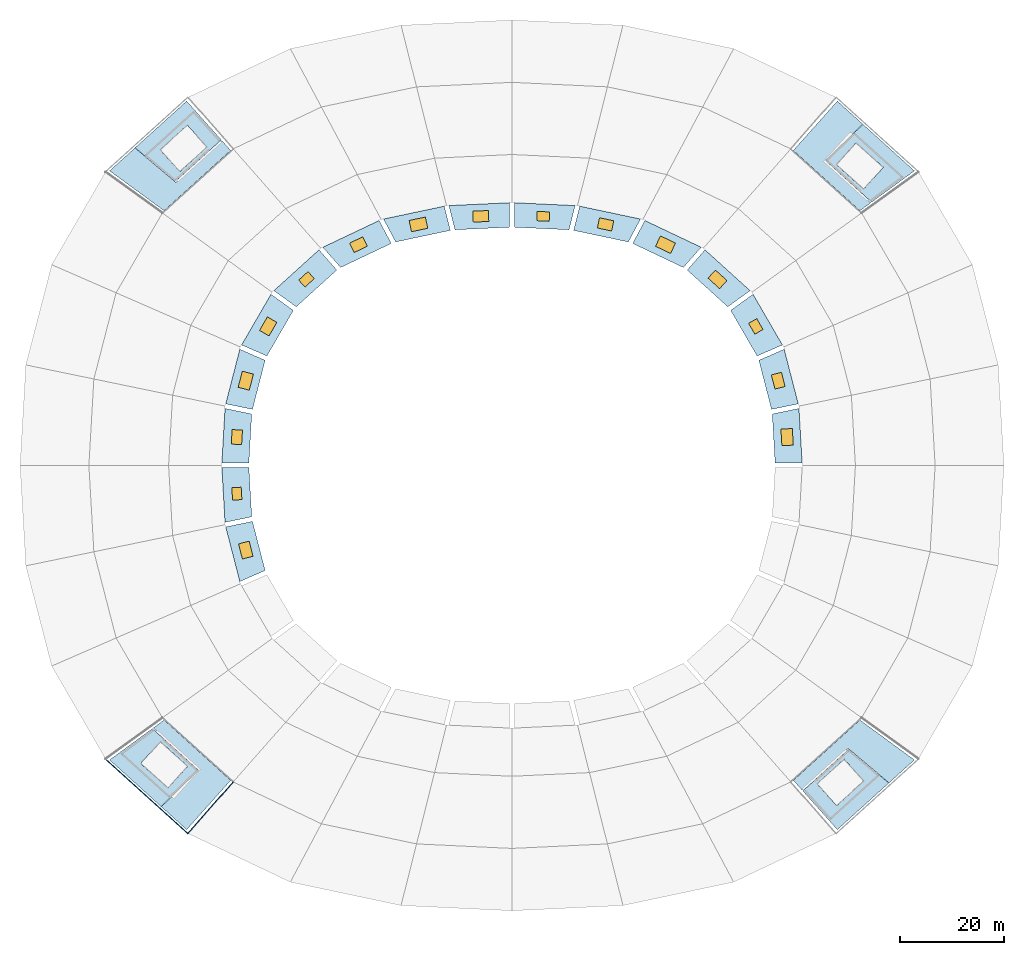
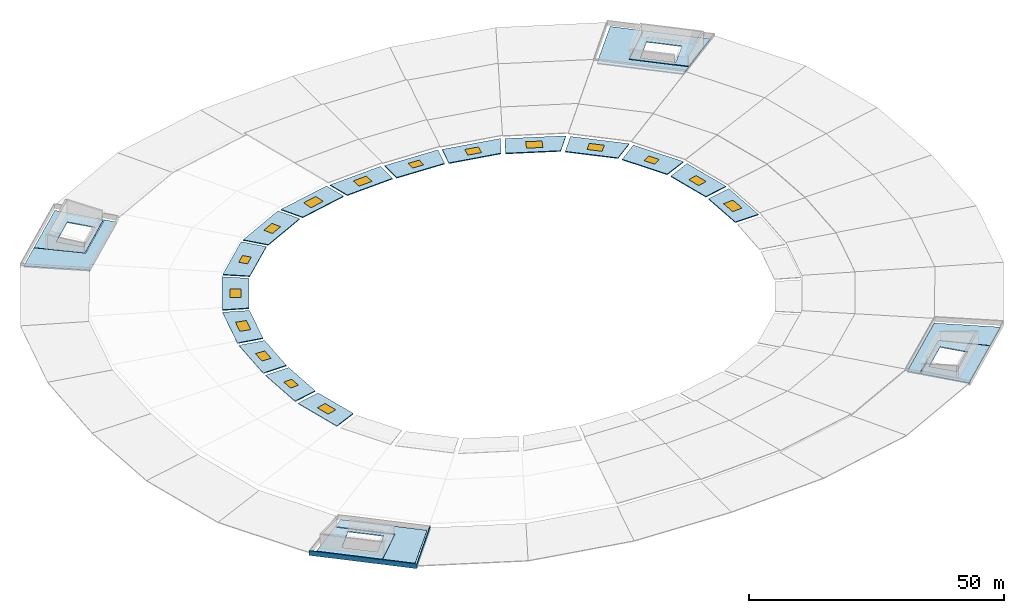
"""IFC4 building model written with IfcOpenShell, lengths in metres."""

import ifcopenshell
import ifcopenshell.guid

model = None  # the IFC model being written
_history = None  # IfcOwnerHistory: only IFC2X3 demands one
_inside = {}  # id of a spatial element -> (the spatial element, [elements in it])
_under = {}  # id of a project, library or spatial element -> (it, [spatial elements below it])
_declared = {}  # id of a project -> (the project, [libraries it declares])
_typed = {}  # id of a type object -> (the type object, [elements of that type])
_made_of = {}  # id of a material, layer set ... -> (it, [elements and type objects made of it])


def new_model(schema):
    """Start an empty IFC model of exactly this schema.

    Asked for "IFC4X3", IfcOpenShell would pick the latest addendum, in which some entities
    have other attributes; the version numbers below select the first issue.
    IFC2X3 requires an IfcOwnerHistory on every rooted entity: one is made here for all.
    """
    global model, _history
    if schema == "IFC4X3":
        model = ifcopenshell.file(schema_version=(4, 3, 0, 0))
    else:
        model = ifcopenshell.file(schema=schema)
    _inside.clear()
    _under.clear()
    _declared.clear()
    _typed.clear()
    _made_of.clear()
    _history = None
    if model.schema == "IFC2X3":
        org = make("IfcOrganization", Name="unknown")
        user = make(
            "IfcPersonAndOrganization",
            ThePerson=make("IfcPerson", FamilyName="unknown"),
            TheOrganization=org,
        )
        app = make(
            "IfcApplication",
            ApplicationDeveloper=org,
            Version="unknown",
            ApplicationFullName="unknown",
            ApplicationIdentifier="unknown",
        )
        _history = make(
            "IfcOwnerHistory",
            OwningUser=user,
            OwningApplication=app,
            ChangeAction="ADDED",
            CreationDate=0,
        )
    return model


def make(cls, **values):
    """One entity of the class cls with the attributes given. An attribute that is None is left unset."""
    return model.create_entity(
        cls, **{name: value for name, value in values.items() if value is not None}
    )


def rooted(cls, **values):
    """An entity with a GlobalId (a new one), such as an element, a storey or a relation."""
    return make(cls, GlobalId=ifcopenshell.guid.new(), OwnerHistory=_history, **values)


def si_unit(unit_type, name, prefix=None):
    """IfcSIUnit, for example si_unit("LENGTHUNIT", "METRE", prefix="MILLI")."""
    return make("IfcSIUnit", UnitType=unit_type, Prefix=prefix, Name=name)


def assignment(units):
    """IfcUnitAssignment: the units of a project."""
    return None if units is None else make("IfcUnitAssignment", Units=units)


def point(xyz):
    """IfcCartesianPoint."""
    return None if xyz is None else make("IfcCartesianPoint", Coordinates=xyz)


def direction(xyz):
    """IfcDirection."""
    return None if xyz is None else make("IfcDirection", DirectionRatios=xyz)


def frame(location, z_axis=None, x_axis=None):
    """IfcAxis2Placement3D, a coordinate frame: its origin and axes. An axis left out is left unset."""
    return make(
        "IfcAxis2Placement3D",
        Location=point(location),
        Axis=direction(z_axis),
        RefDirection=direction(x_axis),
    )


def frame_2d(location, x_axis=None):
    """IfcAxis2Placement2D, a coordinate frame in the plane: its origin and x axis."""
    return make(
        "IfcAxis2Placement2D", Location=point(location), RefDirection=direction(x_axis)
    )


def origin():
    """The frame at (0, 0, 0) with its axes left unset."""
    return frame((0.0, 0.0, 0.0))


def origin_2d():
    """The frame at (0, 0) in the plane with its x axis left unset."""
    return frame_2d((0.0, 0.0))


def place(relative_to, where):
    """IfcLocalPlacement: puts the frame where relative to a parent placement (None: the world)."""
    return make(
        "IfcLocalPlacement", PlacementRelTo=relative_to, RelativePlacement=where
    )


def context(
    kind, dimensions, precision=None, world=None, true_north=None, identifier=None
):
    """IfcGeometricRepresentationContext, for example the 3D "Model" context."""
    return make(
        "IfcGeometricRepresentationContext",
        ContextIdentifier=identifier,
        ContextType=kind,
        CoordinateSpaceDimension=dimensions,
        Precision=precision,
        WorldCoordinateSystem=world,
        TrueNorth=true_north,
    )


def subcontext(parent, identifier, kind, view, scale=None):
    """IfcGeometricRepresentationSubContext, for example "Body" below "Model"."""
    return make(
        "IfcGeometricRepresentationSubContext",
        ContextIdentifier=identifier,
        ContextType=kind,
        ParentContext=parent,
        TargetScale=scale,
        TargetView=view,
    )


def project(units=None, contexts=None):
    """IfcProject with its units and contexts."""
    return rooted(
        "IfcProject",
        Name="project",
        RepresentationContexts=contexts,
        UnitsInContext=assignment(units),
    )


def spatial(cls, under=None, at=None, **own):
    """A site, building, storey or space (cls), placed at a placement, below another one or the project."""
    s = rooted(cls, ObjectPlacement=at, **own)
    if under is not None:
        _under.setdefault(under.id(), (under, []))[1].append(s)
    return s


def polyline(points):
    """IfcPolyline through the points."""
    return make("IfcPolyline", Points=[point(p) for p in points])


def profile(cls, at=None, kind="AREA", **sizes):
    """A parametric profile (cls). Its sizes go by their IFC names, for example OverallWidth=200.0."""
    return make(cls, ProfileType=kind, Position=at, **sizes)


def rectangle(**sizes):
    """IfcRectangleProfileDef."""
    return profile("IfcRectangleProfileDef", **sizes)


def outline(outer, holes=None, kind="AREA"):
    """IfcArbitraryClosedProfileDef: a profile drawn as a closed curve; with holes, ...WithVoids."""
    if holes is None:
        return make("IfcArbitraryClosedProfileDef", ProfileType=kind, OuterCurve=outer)
    return make(
        "IfcArbitraryProfileDefWithVoids",
        ProfileType=kind,
        OuterCurve=outer,
        InnerCurves=holes,
    )


def extrude(swept, where, along, depth):
    """IfcExtrudedAreaSolid: the profile swept, set in the frame where, extruded along a direction by depth."""
    return make(
        "IfcExtrudedAreaSolid",
        SweptArea=swept,
        Position=where,
        ExtrudedDirection=direction(along),
        Depth=depth,
    )


def shape(context_of_items, identifier, shape_type, items):
    """IfcShapeRepresentation: the items that make up one representation, for example the "Body"."""
    return make(
        "IfcShapeRepresentation",
        ContextOfItems=context_of_items,
        RepresentationIdentifier=identifier,
        RepresentationType=shape_type,
        Items=items,
    )


def material(Name=None, Category=None):
    """IfcMaterial."""
    return make("IfcMaterial", Name=Name, Category=Category)


def layer(
    of_material, thickness, ventilated=None, Name=None, Category=None, Priority=None
):
    """IfcMaterialLayer: one layer of a wall or slab, of a material (None: an air gap)."""
    return make(
        "IfcMaterialLayer",
        Material=of_material,
        LayerThickness=thickness,
        IsVentilated=ventilated,
        Name=Name,
        Category=Category,
        Priority=Priority,
    )


def layer_set(layers, Name=None):
    """IfcMaterialLayerSet."""
    return make("IfcMaterialLayerSet", MaterialLayers=layers, LayerSetName=Name)


def made_of(thing, what):
    """Note that an element or type object is made of a material, layer set ...; save() writes the relation."""
    if what is not None:
        _made_of.setdefault(what.id(), (what, []))[1].append(thing)
    return thing


def type_object(cls, material=None, **own):
    """A type object (cls), such as IfcWallType, which elements share."""
    return made_of(rooted(cls, **own), material)


def element(
    cls,
    number,
    at=None,
    inside=None,
    cuts=None,
    type_object=None,
    material=None,
    context=None,
    identifier="Body",
    shape_type=None,
    held_by="IfcProductDefinitionShape",
    body=None,
    shapes=None,
    **own,
):
    """One element of the class cls, such as IfcWall. Its Tag is "e" and its number.

    at: its placement. inside: the storey or other place that contains it. cuts: it is an
    opening in that element (IfcRelVoidsElement). A single representation is given by context,
    identifier, shape_type and body (its items); several are given by shapes. held_by: the class
    of the entity that holds the representations. save() writes the other relations.
    """
    e = rooted(cls, Tag="e%d" % number, ObjectPlacement=at, **own)
    if body is not None:
        shapes = [shape(context, identifier, shape_type, body)]
    if shapes is not None:
        e.Representation = make(held_by, Representations=shapes)
    if inside is not None:
        _inside.setdefault(inside.id(), (inside, []))[1].append(e)
    if cuts is not None:
        rooted(
            "IfcRelVoidsElement", RelatingBuildingElement=cuts, RelatedOpeningElement=e
        )
    if type_object is not None:
        _typed.setdefault(type_object.id(), (type_object, []))[1].append(e)
    return made_of(e, material)


def fill(opening, filler):
    """IfcRelFillsElement: the door or window that sits in an opening."""
    return rooted(
        "IfcRelFillsElement",
        RelatingOpeningElement=opening,
        RelatedBuildingElement=filler,
    )


def aggregate(whole, parts):
    """IfcRelAggregates: a whole, such as a stair, and the parts it consists of."""
    return rooted("IfcRelAggregates", RelatingObject=whole, RelatedObjects=parts)


def save(model, path):
    """Write the relations noted so far, then the file.

    IfcRelAggregates (storeys below a building ...), IfcRelContainedInSpatialStructure (elements
    in a storey), IfcRelDefinesByType, IfcRelAssociatesMaterial and IfcRelDeclares: one each for
    every whole, place, type object, material and project.
    """
    for whole, parts in _under.values():
        aggregate(whole, parts)
    for where, things in _inside.values():
        rooted(
            "IfcRelContainedInSpatialStructure",
            RelatedElements=things,
            RelatingStructure=where,
        )
    for kind, things in _typed.values():
        rooted("IfcRelDefinesByType", RelatedObjects=things, RelatingType=kind)
    for what, things in _made_of.values():
        rooted("IfcRelAssociatesMaterial", RelatedObjects=things, RelatingMaterial=what)
    for by, libraries in _declared.values():
        rooted("IfcRelDeclares", RelatingContext=by, RelatedDefinitions=libraries)
    model.write(path)


model = new_model("IFC4")

# Units and contexts
model_context = context("Model", 3, precision=1e-05, world=origin(), true_north=direction((0.0, 1.0)))
body_context = subcontext(model_context, "Body", "Model", "MODEL_VIEW")
ifc_project = project(units=[si_unit("LENGTHUNIT", "METRE"), si_unit("AREAUNIT", "SQUARE_METRE"), si_unit("VOLUMEUNIT", "CUBIC_METRE"), si_unit("PLANEANGLEUNIT", "RADIAN"), si_unit("MASSUNIT", "GRAM", prefix="KILO")], contexts=[model_context])

# Site, building, storey
site_placement = place(None, origin())
site = spatial("IfcSite", under=ifc_project, at=site_placement, CompositionType="ELEMENT")
building_placement = place(site_placement, origin())
building = spatial("IfcBuilding", under=site, at=building_placement, Name="Kazemori Nagisa Stadium", CompositionType="ELEMENT")
storey_1_placement = place(building_placement, frame((0.0, 0.0, 42.159912109375)))
storey_1 = spatial("IfcBuildingStorey", under=building, at=storey_1_placement, Name="ROOF", CompositionType="ELEMENT", Elevation=42.159912109375)

# Slabs
ifc_material_1 = material(Name="Concrete C36/45 (Fc36)", Category="concrete")
ifc_layer_1 = layer(ifc_material_1, 0.219970703125, Name="Concrete C36/45 (Fc36)", Category="concrete")
ifc_layer_set_1 = layer_set([ifc_layer_1], Name="Concrete C36/45 (Fc36)")
slab_type_1 = type_object("IfcSlabType", Name="Slab_SL-LND-220", PredefinedType="LANDING", material=ifc_layer_set_1)
slab_1_placement = place(storey_1_placement, frame((0.0, 0.0, -0.219970703125)))
element("IfcSlab", 1, at=slab_1_placement, inside=storey_1, type_object=slab_type_1, Name="Corner stair headhouse arrival landing ROOF B04", PredefinedType="LANDING", context=body_context, shape_type="SweptSolid", body=[
    extrude(outline(polyline([(192.436279296875, 152.818359375), (183.551025390625, 160.862060546875), (190.7626953125, 167.87255859375), (200.706298828125, 158.87109375), (192.436279296875, 152.818359375)]), holes=[polyline([(190.87646484375, 155.334228515625), (185.616455078125, 160.095947265625), (189.44189453125, 164.321533203125), (194.70166015625, 159.56005859375), (190.87646484375, 155.334228515625)])]), origin(), (0.0, 0.0, 1.0), 0.219970703125),
])
slab_2_placement = place(storey_1_placement, frame((0.0, 0.0, -0.219970703125)))
element("IfcSlab", 2, at=slab_2_placement, inside=storey_1, type_object=slab_type_1, Name="Corner stair headhouse arrival landing ROOF B11", PredefinedType="LANDING", context=body_context, shape_type="SweptSolid", body=[
    extrude(outline(polyline([(66.86328125, 164.858154296875), (57.97802734375, 156.814697265625), (50.23388671875, 163.343017578125), (60.177490234375, 172.3447265625), (66.86328125, 164.858154296875)]), holes=[polyline([(64.12109375, 163.4794921875), (58.861328125, 158.7177734375), (55.035888671875, 162.943603515625), (60.2958984375, 167.705078125), (64.12109375, 163.4794921875)])]), origin(), (0.0, 0.0, 1.0), 0.219970703125),
])
slab_3_placement = place(storey_1_placement, frame((0.0, 0.0, -0.219970703125)))
element("IfcSlab", 3, at=slab_3_placement, inside=storey_1, type_object=slab_type_1, Name="Corner stair headhouse arrival landing ROOF B18", PredefinedType="LANDING", context=body_context, shape_type="SweptSolid", body=[
    extrude(outline(polyline([(53.563720703125, 51.181640625), (62.448974609375, 43.137939453125), (55.2373046875, 36.12744140625), (45.293701171875, 45.12890625), (53.563720703125, 51.181640625)]), holes=[polyline([(55.12353515625, 48.665771484375), (60.383544921875, 43.904052734375), (56.55810546875, 39.678466796875), (51.29833984375, 44.43994140625), (55.12353515625, 48.665771484375)])]), origin(), (0.0, 0.0, 1.0), 0.219970703125),
])
slab_4_placement = place(storey_1_placement, frame((0.0, 0.0, -0.219970703125)))
element("IfcSlab", 4, at=slab_4_placement, inside=storey_1, type_object=slab_type_1, Name="Corner stair headhouse arrival landing ROOF B25", PredefinedType="LANDING", context=body_context, shape_type="SweptSolid", body=[
    extrude(outline(polyline([(179.13671875, 39.141845703125), (188.02197265625, 47.185302734375), (195.76611328125, 40.656982421875), (185.822509765625, 31.6552734375), (179.13671875, 39.141845703125)]), holes=[polyline([(181.87890625, 40.5205078125), (187.138671875, 45.2822265625), (190.964111328125, 41.056396484375), (185.7041015625, 36.294921875), (181.87890625, 40.5205078125)])]), origin(), (0.0, 0.0, 1.0), 0.219970703125),
])
ifc_layer_2 = layer(ifc_material_1, 0.25, Name="Concrete C36/45 (Fc36)", Category="concrete")
ifc_layer_set_2 = layer_set([ifc_layer_2], Name="Concrete C36/45 (Fc36)")
slab_type_2 = type_object("IfcSlabType", Name="Slab_SL-RF-HEAD-250", PredefinedType="ROOF", material=ifc_layer_set_2)
slab_5_placement = place(storey_1_placement, frame((0.0, 0.0, -0.25)))
element("IfcSlab", 5, at=slab_5_placement, inside=storey_1, type_object=slab_type_2, Name="Corner technical headhouse roof slab RF B04", PredefinedType="ROOF", context=body_context, shape_type="SweptSolid", body=[
    extrude(outline(polyline([(190.173828125, 151.16259765625), (177.3076171875, 162.81005859375), (185.822509765625, 172.3447265625), (190.731201171875, 167.9013671875), (183.38671875, 160.75537109375), (192.280517578125, 152.704345703125), (190.173828125, 151.16259765625)])), origin(), (0.0, 0.0, 1.0), 0.25),
])
slab_6_placement = place(storey_1_placement, frame((0.0, 0.0, -0.25)))
element("IfcSlab", 6, at=slab_6_placement, inside=storey_1, type_object=slab_type_2, Name="Corner technical headhouse roof slab RF B11", PredefinedType="ROOF", context=body_context, shape_type="SweptSolid", body=[
    extrude(outline(polyline([(68.6923828125, 162.81005859375), (55.826171875, 151.16259765625), (45.293701171875, 158.87109375), (50.2021484375, 163.314453125), (58.095703125, 156.666015625), (66.989501953125, 164.717041015625), (68.6923828125, 162.81005859375)])), origin(), (0.0, 0.0, 1.0), 0.25),
])
slab_7_placement = place(storey_1_placement, frame((0.0, 0.0, -0.25)))
element("IfcSlab", 7, at=slab_7_placement, inside=storey_1, type_object=slab_type_2, Name="Corner technical headhouse roof slab RF B18", PredefinedType="ROOF", context=body_context, shape_type="SweptSolid", body=[
    extrude(outline(polyline([(55.826171875, 52.83740234375), (68.6923828125, 41.18994140625), (60.177490234375, 31.6552734375), (55.268798828125, 36.0986328125), (62.61328125, 43.24462890625), (53.719482421875, 51.295654296875), (55.826171875, 52.83740234375)])), origin(), (0.0, 0.0, 1.0), 0.25),
])
slab_8_placement = place(storey_1_placement, frame((0.0, 0.0, -0.25)))
element("IfcSlab", 8, at=slab_8_placement, inside=storey_1, type_object=slab_type_2, Name="Corner technical headhouse roof slab RF B25", PredefinedType="ROOF", context=body_context, shape_type="SweptSolid", body=[
    extrude(outline(polyline([(177.3076171875, 41.18994140625), (190.173828125, 52.83740234375), (200.706298828125, 45.12890625), (195.7978515625, 40.685546875), (187.904296875, 47.333984375), (179.010498046875, 39.282958984375), (177.3076171875, 41.18994140625)])), origin(), (0.0, 0.0, 1.0), 0.25),
])

# Slab, opening
ifc_layer_3 = layer(ifc_material_1, 0.199951171875, Name="Concrete C36/45 (Fc36)", Category="concrete")
ifc_layer_set_3 = layer_set([ifc_layer_3], Name="Concrete C36/45 (Fc36)")
slab_type_3 = type_object("IfcSlabType", Name="Slab_SL-RF-OCULUS-200", PredefinedType="ROOF", material=ifc_layer_set_3)
slab_9_placement = place(storey_1_placement, frame((0.0, 0.0, -0.37890625)))
slab_9 = element("IfcSlab", 9, at=slab_9_placement, inside=storey_1, type_object=slab_type_3, Name="Canopy inner skylight curb slab B01", PredefinedType="ROOF", context=body_context, shape_type="SweptSolid", body=[
    extrude(outline(polyline([(173.799072265625, 102.44921875), (173.252197265625, 111.928466796875), (178.41552734375, 112.995361328125), (179.024169921875, 102.44921875), (173.799072265625, 102.44921875)])), origin(), (0.0, 0.0, 1.0), 0.199951171875),
])
opening_1_placement = place(slab_9_placement, frame((176.122802734375, 107.45556640625, 0.0), z_axis=(0.0, 0.0, 1.0), x_axis=(-0.057601670941, 0.998339645364, 0.0)))
opening_1 = element("IfcOpeningElement", 10, at=opening_1_placement, cuts=slab_9, Name="Opening SKY-RF-01", PredefinedType="OPENING", context=body_context, shape_type="SweptSolid", body=[
    extrude(rectangle(XDim=3.199951171875, YDim=2.199951171875, at=origin_2d()), frame((0.0, 0.0, -0.010009765625)), (0.0, 0.0, 1.0), 0.219970703125),
])

# Storey
storey_2_placement = place(building_placement, frame((0.0, 0.0, 36.719970703125)))
storey_2 = spatial("IfcBuildingStorey", under=building, at=storey_2_placement, Name="RF", CompositionType="ELEMENT", Elevation=36.719970703125)

# Window
ifc_material_2 = material(Name="Low-e laminated double glazing", Category="glass")
window_type_1 = type_object("IfcWindowType", Name="Window_SKY-RF-01", PartitioningType="SINGLE_PANEL", PredefinedType="SKYLIGHT", material=ifc_material_2)
window_1_placement = place(opening_1_placement, frame((0.0, 0.0, 0.14990234375)))
window_1 = element("IfcWindow", 11, at=window_1_placement, inside=storey_2, type_object=window_type_1, Name="Canopy inner oculus skylight SKY-RF-01-B01", OverallHeight=2.199951171875, OverallWidth=3.199951171875, PartitioningType="SINGLE_PANEL", PredefinedType="SKYLIGHT", context=body_context, shape_type="SweptSolid", body=[
    extrude(rectangle(XDim=3.199951171875, YDim=2.199951171875, at=origin_2d()), origin(), (0.0, 0.0, 1.0), 0.050048828125),
])

fill(opening_1, window_1)

# Slab, opening, window
slab_10_placement = place(storey_1_placement, frame((0.0, 0.0, -0.330810546875)))
slab_10 = element("IfcSlab", 12, at=slab_10_placement, inside=storey_1, type_object=slab_type_3, Name="Canopy inner skylight curb slab B02", PredefinedType="ROOF", context=body_context, shape_type="SweptSolid", body=[
    extrude(outline(polyline([(173.11376953125, 112.8134765625), (170.666015625, 122.29541015625), (175.5546875, 124.426513671875), (178.277099609375, 113.88037109375), (173.11376953125, 112.8134765625)])), origin(), (0.0, 0.0, 1.0), 0.199951171875),
])
opening_2_placement = place(slab_10_placement, frame((174.40283203125, 118.35400390625, 0.0), z_axis=(0.0, 0.0, 1.0), x_axis=(-0.249964642418, 0.968254965152, 0.0)))
opening_2 = element("IfcOpeningElement", 13, at=opening_2_placement, cuts=slab_10, Name="Opening SKY-RF-02", PredefinedType="OPENING", context=body_context, shape_type="SweptSolid", body=[
    extrude(rectangle(XDim=2.800048828125, YDim=2.0, at=origin_2d()), frame((0.0, 0.0, -0.010009765625)), (0.0, 0.0, 1.0), 0.219970703125),
])
window_type_2 = type_object("IfcWindowType", Name="Window_SKY-RF-02", PartitioningType="SINGLE_PANEL", PredefinedType="SKYLIGHT", material=ifc_material_2)
window_2_placement = place(opening_2_placement, frame((0.0, 0.0, 0.14990234375)))
window_2 = element("IfcWindow", 14, at=window_2_placement, inside=storey_2, type_object=window_type_2, Name="Canopy inner oculus skylight SKY-RF-02-B02", OverallHeight=2.0, OverallWidth=2.800048828125, PartitioningType="SINGLE_PANEL", PredefinedType="SKYLIGHT", context=body_context, shape_type="SweptSolid", body=[
    extrude(rectangle(XDim=2.800048828125, YDim=2.0, at=origin_2d()), origin(), (0.0, 0.0, 1.0), 0.050048828125),
])
fill(opening_2, window_2)

slab_11_placement = place(storey_1_placement, frame((0.0, 0.0, -0.2529296875)))
slab_11 = element("IfcSlab", 15, at=slab_11_placement, inside=storey_1, type_object=slab_type_3, Name="Canopy inner skylight curb slab B03", PredefinedType="ROOF", context=body_context, shape_type="SweptSolid", body=[
    extrude(outline(polyline([(170.32763671875, 123.120361328125), (165.220703125, 131.927978515625), (169.5380859375, 135.044677734375), (175.21630859375, 125.25146484375), (170.32763671875, 123.120361328125)])), origin(), (0.0, 0.0, 1.0), 0.199951171875),
])
opening_3_placement = place(slab_11_placement, frame((170.07568359375, 128.836181640625, 0.0), z_axis=(0.0, 0.0, 1.0), x_axis=(-0.501611590054, 0.865092950337, 0.0)))
opening_3 = element("IfcOpeningElement", 16, at=opening_3_placement, cuts=slab_11, Name="Opening SKY-RF-03", PredefinedType="OPENING", context=body_context, shape_type="SweptSolid", body=[
    extrude(rectangle(XDim=2.39990234375, YDim=1.800048828125, at=origin_2d()), frame((0.0, 0.0, -0.010009765625)), (0.0, 0.0, 1.0), 0.219970703125),
])
window_type_3 = type_object("IfcWindowType", Name="Window_SKY-RF-03", PartitioningType="SINGLE_PANEL", PredefinedType="SKYLIGHT", material=ifc_material_2)
window_3_placement = place(opening_3_placement, frame((0.0, 0.0, 0.14990234375)))
window_3 = element("IfcWindow", 17, at=window_3_placement, inside=storey_2, type_object=window_type_3, Name="Canopy inner oculus skylight SKY-RF-03-B03", OverallHeight=1.800048828125, OverallWidth=2.39990234375, PartitioningType="SINGLE_PANEL", PredefinedType="SKYLIGHT", context=body_context, shape_type="SweptSolid", body=[
    extrude(rectangle(XDim=2.39990234375, YDim=1.800048828125, at=origin_2d()), origin(), (0.0, 0.0, 1.0), 0.050048828125),
])
fill(opening_3, window_3)

slab_12_placement = place(storey_1_placement, frame((0.0, 0.0, -0.14990234375)))
slab_12 = element("IfcSlab", 18, at=slab_12_placement, inside=storey_1, type_object=slab_type_3, Name="Canopy inner skylight curb slab B04", PredefinedType="ROOF", context=body_context, shape_type="SweptSolid", body=[
    extrude(outline(polyline([(164.661376953125, 132.619140625), (156.823486328125, 139.714599609375), (160.266357421875, 143.622802734375), (168.978759765625, 135.73583984375), (164.661376953125, 132.619140625)])), origin(), (0.0, 0.0, 1.0), 0.199951171875),
])
opening_4_placement = place(slab_12_placement, frame((162.6826171875, 137.923095703125, 0.0), z_axis=(0.0, 0.0, 1.0), x_axis=(-0.741350875443, 0.671117634607, 0.0)))
opening_4 = element("IfcOpeningElement", 19, at=opening_4_placement, cuts=slab_12, Name="Opening SKY-RF-04", PredefinedType="OPENING", context=body_context, shape_type="SweptSolid", body=[
    extrude(rectangle(XDim=3.0, YDim=2.10009765625, at=origin_2d()), frame((0.0, 0.0, -0.010009765625)), (0.0, 0.0, 1.0), 0.219970703125),
])
window_type_4 = type_object("IfcWindowType", Name="Window_SKY-RF-04", PartitioningType="SINGLE_PANEL", PredefinedType="SKYLIGHT", material=ifc_material_2)
window_4_placement = place(opening_4_placement, frame((0.0, 0.0, 0.14990234375)))
window_4 = element("IfcWindow", 20, at=window_4_placement, inside=storey_2, type_object=window_type_4, Name="Canopy inner oculus skylight SKY-RF-04-B04", OverallHeight=2.10009765625, OverallWidth=3.0, PartitioningType="SINGLE_PANEL", PredefinedType="SKYLIGHT", context=body_context, shape_type="SweptSolid", body=[
    extrude(rectangle(XDim=3.0, YDim=2.10009765625, at=origin_2d()), origin(), (0.0, 0.0, 1.0), 0.050048828125),
])
fill(opening_4, window_4)

slab_13_placement = place(storey_1_placement, frame((0.0, 0.0, -0.02685546875)))
slab_13 = element("IfcSlab", 21, at=slab_13_placement, inside=storey_1, type_object=slab_type_3, Name="Canopy inner skylight curb slab B05", PredefinedType="ROOF", context=body_context, shape_type="SweptSolid", body=[
    extrude(outline(polyline([(156.08349609375, 140.209716796875), (146.306884765625, 144.855224609375), (148.6611328125, 149.28076171875), (159.5263671875, 144.117919921875), (156.08349609375, 140.209716796875)])), origin(), (0.0, 0.0, 1.0), 0.199951171875),
])
opening_5_placement = place(slab_13_placement, frame((152.64453125, 144.615966796875, 0.0), z_axis=(0.0, 0.0, 1.0), x_axis=(-0.903215892654, 0.429186499388, 0.0)))
opening_5 = element("IfcOpeningElement", 22, at=opening_5_placement, cuts=slab_13, Name="Opening SKY-RF-01", PredefinedType="OPENING", context=body_context, shape_type="SweptSolid", body=[
    extrude(rectangle(XDim=3.199951171875, YDim=2.199951171875, at=origin_2d()), frame((0.0, 0.0, -0.010009765625)), (0.0, 0.0, 1.0), 0.219970703125),
])
window_5_placement = place(opening_5_placement, frame((0.0, 0.0, 0.14990234375)))
window_5 = element("IfcWindow", 23, at=window_5_placement, inside=storey_2, type_object=window_type_1, Name="Canopy inner oculus skylight SKY-RF-01-B05", OverallHeight=2.199951171875, OverallWidth=3.199951171875, PartitioningType="SINGLE_PANEL", PredefinedType="SKYLIGHT", context=body_context, shape_type="SweptSolid", body=[
    extrude(rectangle(XDim=3.199951171875, YDim=2.199951171875, at=origin_2d()), origin(), (0.0, 0.0, 1.0), 0.050048828125),
])
fill(opening_5, window_5)

slab_14_placement = place(storey_1_placement, frame((0.0, 0.0, 0.110107421875)))
slab_14 = element("IfcSlab", 24, at=slab_14_placement, inside=storey_1, type_object=slab_type_3, Name="Canopy inner skylight curb slab B06", PredefinedType="ROOF", context=body_context, shape_type="SweptSolid", body=[
    extrude(outline(polyline([(145.460205078125, 145.1416015625), (134.904052734375, 147.374755859375), (136.08251953125, 152.049072265625), (147.814453125, 149.567138671875), (145.460205078125, 145.1416015625)])), origin(), (0.0, 0.0, 1.0), 0.199951171875),
])
opening_6_placement = place(slab_14_placement, frame((141.0654296875, 148.533203125, 0.0), z_axis=(0.0, 0.0, 1.0), x_axis=(-0.978344955407, 0.206981033502, 0.0)))
opening_6 = element("IfcOpeningElement", 25, at=opening_6_placement, cuts=slab_14, Name="Opening SKY-RF-02", PredefinedType="OPENING", context=body_context, shape_type="SweptSolid", body=[
    extrude(rectangle(XDim=2.800048828125, YDim=2.0, at=origin_2d()), frame((0.0, 0.0, -0.010009765625)), (0.0, 0.0, 1.0), 0.219970703125),
])
window_6_placement = place(opening_6_placement, frame((0.0, 0.0, 0.14990234375)))
window_6 = element("IfcWindow", 26, at=window_6_placement, inside=storey_2, type_object=window_type_2, Name="Canopy inner oculus skylight SKY-RF-02-B06", OverallHeight=2.0, OverallWidth=2.800048828125, PartitioningType="SINGLE_PANEL", PredefinedType="SKYLIGHT", context=body_context, shape_type="SweptSolid", body=[
    extrude(rectangle(XDim=2.800048828125, YDim=2.0, at=origin_2d()), origin(), (0.0, 0.0, 1.0), 0.050048828125),
])
fill(opening_6, window_6)

slab_15_placement = place(storey_1_placement, frame((0.0, 0.0, 0.255126953125)))
slab_15 = element("IfcSlab", 27, at=slab_15_placement, inside=storey_1, type_object=slab_type_3, Name="Canopy inner skylight curb slab B07", PredefinedType="ROOF", context=body_context, shape_type="SweptSolid", body=[
    extrude(outline(polyline([(134.014404296875, 147.4892578125), (123.449462890625, 147.98876953125), (123.449462890625, 152.71875), (135.19287109375, 152.16357421875), (134.014404296875, 147.4892578125)])), origin(), (0.0, 0.0, 1.0), 0.199951171875),
])
opening_7_placement = place(slab_15_placement, frame((129.026611328125, 150.090087890625, 0.0), z_axis=(0.0, 0.0, 1.0), x_axis=(-0.998884022476, 0.047230388971, 0.0)))
opening_7 = element("IfcOpeningElement", 28, at=opening_7_placement, cuts=slab_15, Name="Opening SKY-RF-03", PredefinedType="OPENING", context=body_context, shape_type="SweptSolid", body=[
    extrude(rectangle(XDim=2.39990234375, YDim=1.800048828125, at=origin_2d()), frame((0.0, 0.0, -0.010009765625)), (0.0, 0.0, 1.0), 0.219970703125),
])
window_7_placement = place(opening_7_placement, frame((0.0, 0.0, 0.14990234375)))
window_7 = element("IfcWindow", 29, at=window_7_placement, inside=storey_2, type_object=window_type_3, Name="Canopy inner oculus skylight SKY-RF-03-B07", OverallHeight=1.800048828125, OverallWidth=2.39990234375, PartitioningType="SINGLE_PANEL", PredefinedType="SKYLIGHT", context=body_context, shape_type="SweptSolid", body=[
    extrude(rectangle(XDim=2.39990234375, YDim=1.800048828125, at=origin_2d()), origin(), (0.0, 0.0, 1.0), 0.050048828125),
])
fill(opening_7, window_7)

slab_16_placement = place(storey_1_placement, frame((0.0, 0.0, 0.400146484375)))
slab_16 = element("IfcSlab", 30, at=slab_16_placement, inside=storey_1, type_object=slab_type_3, Name="Canopy inner skylight curb slab B08", PredefinedType="ROOF", context=body_context, shape_type="SweptSolid", body=[
    extrude(outline(polyline([(122.550537109375, 147.98876953125), (111.985595703125, 147.4892578125), (110.80712890625, 152.16357421875), (122.550537109375, 152.71875), (122.550537109375, 147.98876953125)])), origin(), (0.0, 0.0, 1.0), 0.199951171875),
])
opening_8_placement = place(slab_16_placement, frame((116.973388671875, 150.090087890625, 0.0), z_axis=(0.0, 0.0, 1.0), x_axis=(-0.998884022476, -0.047230388971, 0.0)))
opening_8 = element("IfcOpeningElement", 31, at=opening_8_placement, cuts=slab_16, Name="Opening SKY-RF-04", PredefinedType="OPENING", context=body_context, shape_type="SweptSolid", body=[
    extrude(rectangle(XDim=3.0, YDim=2.10009765625, at=origin_2d()), frame((0.0, 0.0, -0.010009765625)), (0.0, 0.0, 1.0), 0.219970703125),
])
window_8_placement = place(opening_8_placement, frame((0.0, 0.0, 0.14990234375)))
window_8 = element("IfcWindow", 32, at=window_8_placement, inside=storey_2, type_object=window_type_4, Name="Canopy inner oculus skylight SKY-RF-04-B08", OverallHeight=2.10009765625, OverallWidth=3.0, PartitioningType="SINGLE_PANEL", PredefinedType="SKYLIGHT", context=body_context, shape_type="SweptSolid", body=[
    extrude(rectangle(XDim=3.0, YDim=2.10009765625, at=origin_2d()), origin(), (0.0, 0.0, 1.0), 0.050048828125),
])
fill(opening_8, window_8)

slab_17_placement = place(storey_1_placement, frame((0.0, 0.0, 0.537109375)))
slab_17 = element("IfcSlab", 33, at=slab_17_placement, inside=storey_1, type_object=slab_type_3, Name="Canopy inner skylight curb slab B09", PredefinedType="ROOF", context=body_context, shape_type="SweptSolid", body=[
    extrude(outline(polyline([(111.095947265625, 147.374755859375), (100.539794921875, 145.1416015625), (98.185546875, 149.567138671875), (109.91748046875, 152.049072265625), (111.095947265625, 147.374755859375)])), origin(), (0.0, 0.0, 1.0), 0.199951171875),
])
opening_9_placement = place(slab_17_placement, frame((104.9345703125, 148.533203125, 0.0), z_axis=(0.0, 0.0, 1.0), x_axis=(-0.978344955407, -0.206981033502, 0.0)))
opening_9 = element("IfcOpeningElement", 34, at=opening_9_placement, cuts=slab_17, Name="Opening SKY-RF-01", PredefinedType="OPENING", context=body_context, shape_type="SweptSolid", body=[
    extrude(rectangle(XDim=3.199951171875, YDim=2.199951171875, at=origin_2d()), frame((0.0, 0.0, -0.010009765625)), (0.0, 0.0, 1.0), 0.219970703125),
])
window_9_placement = place(opening_9_placement, frame((0.0, 0.0, 0.14990234375)))
window_9 = element("IfcWindow", 35, at=window_9_placement, inside=storey_2, type_object=window_type_1, Name="Canopy inner oculus skylight SKY-RF-01-B09", OverallHeight=2.199951171875, OverallWidth=3.199951171875, PartitioningType="SINGLE_PANEL", PredefinedType="SKYLIGHT", context=body_context, shape_type="SweptSolid", body=[
    extrude(rectangle(XDim=3.199951171875, YDim=2.199951171875, at=origin_2d()), origin(), (0.0, 0.0, 1.0), 0.050048828125),
])
fill(opening_9, window_9)

slab_18_placement = place(storey_1_placement, frame((0.0, 0.0, 0.66015625)))
slab_18 = element("IfcSlab", 36, at=slab_18_placement, inside=storey_1, type_object=slab_type_3, Name="Canopy inner skylight curb slab B10", PredefinedType="ROOF", context=body_context, shape_type="SweptSolid", body=[
    extrude(outline(polyline([(99.693115234375, 144.855224609375), (89.91650390625, 140.209716796875), (86.4736328125, 144.117919921875), (97.3388671875, 149.28076171875), (99.693115234375, 144.855224609375)])), origin(), (0.0, 0.0, 1.0), 0.199951171875),
])
opening_10_placement = place(slab_18_placement, frame((93.35546875, 144.615966796875, 0.0), z_axis=(0.0, 0.0, 1.0), x_axis=(-0.903215892654, -0.429186499388, 0.0)))
opening_10 = element("IfcOpeningElement", 37, at=opening_10_placement, cuts=slab_18, Name="Opening SKY-RF-02", PredefinedType="OPENING", context=body_context, shape_type="SweptSolid", body=[
    extrude(rectangle(XDim=2.800048828125, YDim=2.0, at=origin_2d()), frame((0.0, 0.0, -0.010009765625)), (0.0, 0.0, 1.0), 0.219970703125),
])
window_10_placement = place(opening_10_placement, frame((0.0, 0.0, 0.14990234375)))
window_10 = element("IfcWindow", 38, at=window_10_placement, inside=storey_2, type_object=window_type_2, Name="Canopy inner oculus skylight SKY-RF-02-B10", OverallHeight=2.0, OverallWidth=2.800048828125, PartitioningType="SINGLE_PANEL", PredefinedType="SKYLIGHT", context=body_context, shape_type="SweptSolid", body=[
    extrude(rectangle(XDim=2.800048828125, YDim=2.0, at=origin_2d()), origin(), (0.0, 0.0, 1.0), 0.050048828125),
])
fill(opening_10, window_10)

slab_19_placement = place(storey_1_placement, frame((0.0, 0.0, 0.76318359375)))
slab_19 = element("IfcSlab", 39, at=slab_19_placement, inside=storey_1, type_object=slab_type_3, Name="Canopy inner skylight curb slab B11", PredefinedType="ROOF", context=body_context, shape_type="SweptSolid", body=[
    extrude(outline(polyline([(89.176513671875, 139.714599609375), (81.338623046875, 132.619140625), (77.021240234375, 135.73583984375), (85.733642578125, 143.622802734375), (89.176513671875, 139.714599609375)])), origin(), (0.0, 0.0, 1.0), 0.199951171875),
])
opening_11_placement = place(slab_19_placement, frame((83.3173828125, 137.923095703125, 0.0), z_axis=(0.0, 0.0, 1.0), x_axis=(-0.741350875443, -0.671117634607, 0.0)))
opening_11 = element("IfcOpeningElement", 40, at=opening_11_placement, cuts=slab_19, Name="Opening SKY-RF-03", PredefinedType="OPENING", context=body_context, shape_type="SweptSolid", body=[
    extrude(rectangle(XDim=2.39990234375, YDim=1.800048828125, at=origin_2d()), frame((0.0, 0.0, -0.010009765625)), (0.0, 0.0, 1.0), 0.219970703125),
])
window_11_placement = place(opening_11_placement, frame((0.0, 0.0, 0.14990234375)))
window_11 = element("IfcWindow", 41, at=window_11_placement, inside=storey_2, type_object=window_type_3, Name="Canopy inner oculus skylight SKY-RF-03-B11", OverallHeight=1.800048828125, OverallWidth=2.39990234375, PartitioningType="SINGLE_PANEL", PredefinedType="SKYLIGHT", context=body_context, shape_type="SweptSolid", body=[
    extrude(rectangle(XDim=2.39990234375, YDim=1.800048828125, at=origin_2d()), origin(), (0.0, 0.0, 1.0), 0.050048828125),
])
fill(opening_11, window_11)

slab_20_placement = place(storey_1_placement, frame((0.0, 0.0, 0.841064453125)))
slab_20 = element("IfcSlab", 42, at=slab_20_placement, inside=storey_1, type_object=slab_type_3, Name="Canopy inner skylight curb slab B12", PredefinedType="ROOF", context=body_context, shape_type="SweptSolid", body=[
    extrude(outline(polyline([(80.779296875, 131.927978515625), (75.67236328125, 123.120361328125), (70.78369140625, 125.25146484375), (76.4619140625, 135.044677734375), (80.779296875, 131.927978515625)])), origin(), (0.0, 0.0, 1.0), 0.199951171875),
])
opening_12_placement = place(slab_20_placement, frame((75.92431640625, 128.836181640625, 0.0), z_axis=(0.0, 0.0, 1.0), x_axis=(-0.501611590054, -0.865092950337, 0.0)))
opening_12 = element("IfcOpeningElement", 43, at=opening_12_placement, cuts=slab_20, Name="Opening SKY-RF-04", PredefinedType="OPENING", context=body_context, shape_type="SweptSolid", body=[
    extrude(rectangle(XDim=3.0, YDim=2.10009765625, at=origin_2d()), frame((0.0, 0.0, -0.010009765625)), (0.0, 0.0, 1.0), 0.219970703125),
])
window_12_placement = place(opening_12_placement, frame((0.0, 0.0, 0.14990234375)))
window_12 = element("IfcWindow", 44, at=window_12_placement, inside=storey_2, type_object=window_type_4, Name="Canopy inner oculus skylight SKY-RF-04-B12", OverallHeight=2.10009765625, OverallWidth=3.0, PartitioningType="SINGLE_PANEL", PredefinedType="SKYLIGHT", context=body_context, shape_type="SweptSolid", body=[
    extrude(rectangle(XDim=3.0, YDim=2.10009765625, at=origin_2d()), origin(), (0.0, 0.0, 1.0), 0.050048828125),
])
fill(opening_12, window_12)

slab_21_placement = place(storey_1_placement, frame((0.0, 0.0, 0.88916015625)))
slab_21 = element("IfcSlab", 45, at=slab_21_placement, inside=storey_1, type_object=slab_type_3, Name="Canopy inner skylight curb slab B13", PredefinedType="ROOF", context=body_context, shape_type="SweptSolid", body=[
    extrude(outline(polyline([(75.333984375, 122.29541015625), (72.88623046875, 112.8134765625), (67.722900390625, 113.88037109375), (70.4453125, 124.426513671875), (75.333984375, 122.29541015625)])), origin(), (0.0, 0.0, 1.0), 0.199951171875),
])
opening_13_placement = place(slab_21_placement, frame((71.59716796875, 118.35400390625, 0.0), z_axis=(0.0, 0.0, 1.0), x_axis=(-0.249964642418, -0.968254965152, 0.0)))
opening_13 = element("IfcOpeningElement", 46, at=opening_13_placement, cuts=slab_21, Name="Opening SKY-RF-01", PredefinedType="OPENING", context=body_context, shape_type="SweptSolid", body=[
    extrude(rectangle(XDim=3.199951171875, YDim=2.199951171875, at=origin_2d()), frame((0.0, 0.0, -0.010009765625)), (0.0, 0.0, 1.0), 0.219970703125),
])
window_13_placement = place(opening_13_placement, frame((0.0, 0.0, 0.14990234375)))
window_13 = element("IfcWindow", 47, at=window_13_placement, inside=storey_2, type_object=window_type_1, Name="Canopy inner oculus skylight SKY-RF-01-B13", OverallHeight=2.199951171875, OverallWidth=3.199951171875, PartitioningType="SINGLE_PANEL", PredefinedType="SKYLIGHT", context=body_context, shape_type="SweptSolid", body=[
    extrude(rectangle(XDim=3.199951171875, YDim=2.199951171875, at=origin_2d()), origin(), (0.0, 0.0, 1.0), 0.050048828125),
])
fill(opening_13, window_13)

slab_22_placement = place(storey_1_placement, frame((0.0, 0.0, 0.905029296875)))
slab_22 = element("IfcSlab", 48, at=slab_22_placement, inside=storey_1, type_object=slab_type_3, Name="Canopy inner skylight curb slab B14", PredefinedType="ROOF", context=body_context, shape_type="SweptSolid", body=[
    extrude(outline(polyline([(72.747802734375, 111.928466796875), (72.200927734375, 102.44921875), (66.975830078125, 102.44921875), (67.58447265625, 112.995361328125), (72.747802734375, 111.928466796875)])), origin(), (0.0, 0.0, 1.0), 0.199951171875),
])
opening_14_placement = place(slab_22_placement, frame((69.877197265625, 107.45556640625, 0.0), z_axis=(0.0, 0.0, 1.0), x_axis=(-0.057601670941, -0.998339645364, 0.0)))
opening_14 = element("IfcOpeningElement", 49, at=opening_14_placement, cuts=slab_22, Name="Opening SKY-RF-02", PredefinedType="OPENING", context=body_context, shape_type="SweptSolid", body=[
    extrude(rectangle(XDim=2.800048828125, YDim=2.0, at=origin_2d()), frame((0.0, 0.0, -0.010009765625)), (0.0, 0.0, 1.0), 0.219970703125),
])
window_14_placement = place(opening_14_placement, frame((0.0, 0.0, 0.14990234375)))
window_14 = element("IfcWindow", 50, at=window_14_placement, inside=storey_2, type_object=window_type_2, Name="Canopy inner oculus skylight SKY-RF-02-B14", OverallHeight=2.0, OverallWidth=2.800048828125, PartitioningType="SINGLE_PANEL", PredefinedType="SKYLIGHT", context=body_context, shape_type="SweptSolid", body=[
    extrude(rectangle(XDim=2.800048828125, YDim=2.0, at=origin_2d()), origin(), (0.0, 0.0, 1.0), 0.050048828125),
])
fill(opening_14, window_14)

slab_23_placement = place(storey_1_placement, frame((0.0, 0.0, 0.905029296875)))
slab_23 = element("IfcSlab", 51, at=slab_23_placement, inside=storey_1, type_object=slab_type_3, Name="Canopy inner skylight curb slab B15", PredefinedType="ROOF", context=body_context, shape_type="SweptSolid", body=[
    extrude(outline(polyline([(72.200927734375, 101.55078125), (72.747802734375, 92.071533203125), (67.58447265625, 91.004638671875), (66.975830078125, 101.55078125), (72.200927734375, 101.55078125)])), origin(), (0.0, 0.0, 1.0), 0.199951171875),
])
opening_15_placement = place(slab_23_placement, frame((69.877197265625, 96.54443359375, 0.0), z_axis=(0.0, 0.0, 1.0), x_axis=(0.057601670941, -0.998339645364, 0.0)))
opening_15 = element("IfcOpeningElement", 52, at=opening_15_placement, cuts=slab_23, Name="Opening SKY-RF-03", PredefinedType="OPENING", context=body_context, shape_type="SweptSolid", body=[
    extrude(rectangle(XDim=2.39990234375, YDim=1.800048828125, at=origin_2d()), frame((0.0, 0.0, -0.010009765625)), (0.0, 0.0, 1.0), 0.219970703125),
])
window_15_placement = place(opening_15_placement, frame((0.0, 0.0, 0.14990234375)))
window_15 = element("IfcWindow", 53, at=window_15_placement, inside=storey_2, type_object=window_type_3, Name="Canopy inner oculus skylight SKY-RF-03-B15", OverallHeight=1.800048828125, OverallWidth=2.39990234375, PartitioningType="SINGLE_PANEL", PredefinedType="SKYLIGHT", context=body_context, shape_type="SweptSolid", body=[
    extrude(rectangle(XDim=2.39990234375, YDim=1.800048828125, at=origin_2d()), origin(), (0.0, 0.0, 1.0), 0.050048828125),
])
fill(opening_15, window_15)

slab_24_placement = place(storey_1_placement, frame((0.0, 0.0, 0.88916015625)))
slab_24 = element("IfcSlab", 54, at=slab_24_placement, inside=storey_1, type_object=slab_type_3, Name="Canopy inner skylight curb slab B16", PredefinedType="ROOF", context=body_context, shape_type="SweptSolid", body=[
    extrude(outline(polyline([(72.88623046875, 91.1865234375), (75.333984375, 81.70458984375), (70.4453125, 79.573486328125), (67.722900390625, 90.11962890625), (72.88623046875, 91.1865234375)])), origin(), (0.0, 0.0, 1.0), 0.199951171875),
])
opening_16_placement = place(slab_24_placement, frame((71.59716796875, 85.64599609375, 0.0), z_axis=(0.0, 0.0, 1.0), x_axis=(0.249964642418, -0.968254965152, 0.0)))
opening_16 = element("IfcOpeningElement", 55, at=opening_16_placement, cuts=slab_24, Name="Opening SKY-RF-04", PredefinedType="OPENING", context=body_context, shape_type="SweptSolid", body=[
    extrude(rectangle(XDim=3.0, YDim=2.10009765625, at=origin_2d()), frame((0.0, 0.0, -0.010009765625)), (0.0, 0.0, 1.0), 0.219970703125),
])
window_16_placement = place(opening_16_placement, frame((0.0, 0.0, 0.14990234375)))
window_16 = element("IfcWindow", 56, at=window_16_placement, inside=storey_2, type_object=window_type_4, Name="Canopy inner oculus skylight SKY-RF-04-B16", OverallHeight=2.10009765625, OverallWidth=3.0, PartitioningType="SINGLE_PANEL", PredefinedType="SKYLIGHT", context=body_context, shape_type="SweptSolid", body=[
    extrude(rectangle(XDim=3.0, YDim=2.10009765625, at=origin_2d()), origin(), (0.0, 0.0, 1.0), 0.050048828125),
])
fill(opening_16, window_16)

# Walls
ifc_material_3 = material(Name="Concrete C40/50 (Fc42) precast", Category="concrete")
ifc_layer_4 = layer(ifc_material_3, 0.14990234375, Name="Concrete C40/50 (Fc42) precast", Category="concrete")
ifc_layer_set_4 = layer_set([ifc_layer_4], Name="Concrete C40/50 (Fc42) precast")
wall_type_1 = type_object("IfcWallType", Name="Wall_W-PARA-150", PredefinedType="PARAPET", material=ifc_layer_set_4)
wall_1_placement = place(storey_1_placement, frame((69.165771484375, 40.88916015625, 0.0), z_axis=(0.0, 0.0, 1.0), x_axis=(-0.661019680997, -0.750368563664, 0.0)))
element("IfcWall", 57, at=wall_1_placement, inside=storey_1, type_object=wall_type_1, Name="Headhouse roof parapet RF-B18-R", PredefinedType="PARAPET", context=body_context, shape_type="SweptSolid", body=[
    extrude(rectangle(XDim=13.2578125, YDim=0.14990234375, at=frame_2d((6.62890625, 0.0))), origin(), (0.0, 0.0, 1.0), 1.1201171875),
])
ifc_layer_5 = layer(ifc_material_3, 0.179931640625, Name="Concrete C40/50 (Fc42) precast", Category="concrete")
ifc_layer_set_5 = layer_set([ifc_layer_5], Name="Concrete C40/50 (Fc42) precast")
wall_type_2 = type_object("IfcWallType", Name="Wall_W-PARA-180", PredefinedType="PARAPET", material=ifc_layer_set_5)
wall_2_placement = place(storey_1_placement, frame((44.448974609375, 45.3828125, 0.0), z_axis=(0.0, 0.0, 1.0), x_axis=(0.741345309514, -0.671123782965, 0.0)))
element("IfcWall", 58, at=wall_2_placement, inside=storey_1, type_object=wall_type_2, Name="Headhouse roof parapet RF-B18-out", PredefinedType="PARAPET", context=body_context, shape_type="SweptSolid", body=[
    extrude(rectangle(XDim=21.593994140625, YDim=0.179931640625, at=frame_2d((10.796875, 0.0))), origin(), (0.0, 0.0, 1.0), 1.1201171875),
])

save(model, "model.ifc")
